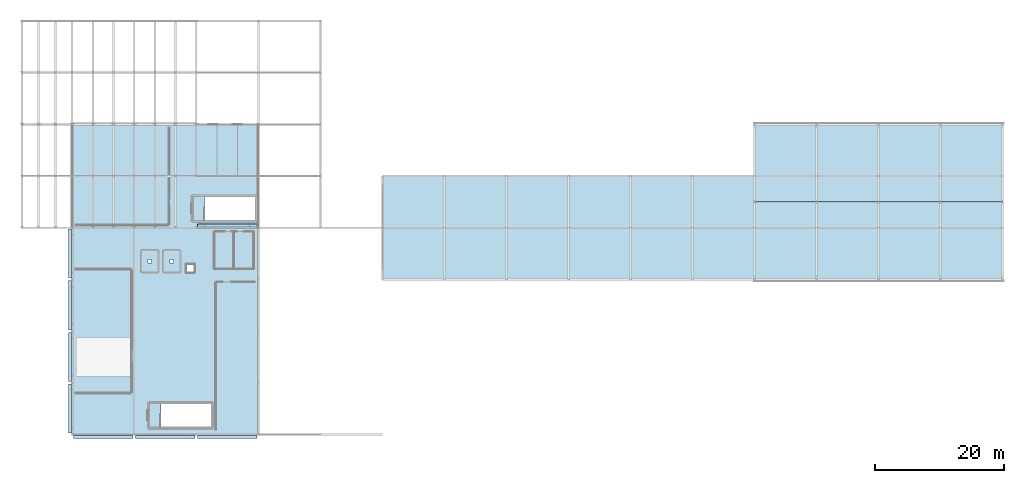
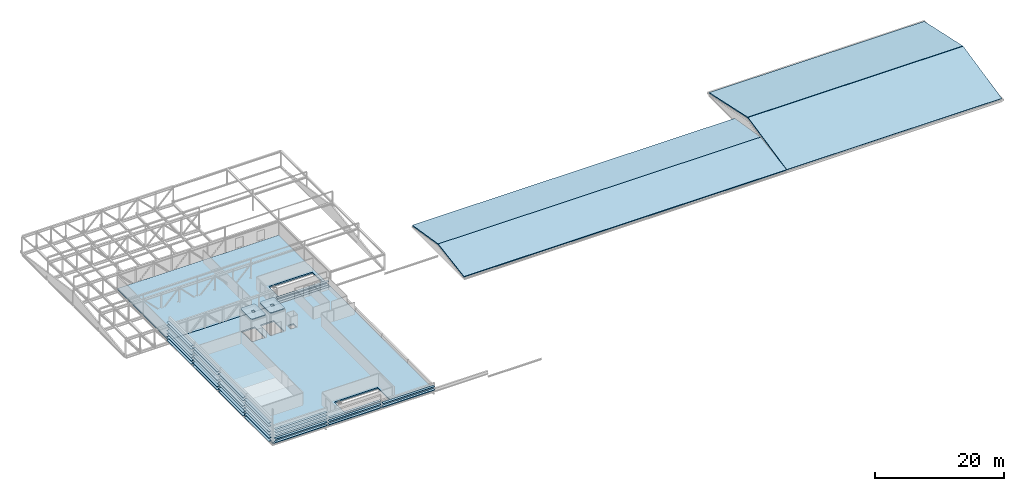
# One storey, part 26 of 34: 36 plates, 8 slabs.
"""IFC4 building model written with IfcOpenShell, lengths in metres."""

from ifc_helpers import new_model, si_unit, direction, frame, origin, origin_2d, place, context, subcontext, project, spatial, polyline, rectangle, outline, extrude, material, layer, layer_set, type_object, element, save


model = new_model("IFC4")

# Units and contexts
model_context = context("Model", 3, precision=1e-05, world=origin(), true_north=direction((0.0, 1.0)))
body_context = subcontext(model_context, "Body", "Model", "MODEL_VIEW")
ifc_project = project(units=[si_unit("LENGTHUNIT", "METRE"), si_unit("AREAUNIT", "SQUARE_METRE"), si_unit("VOLUMEUNIT", "CUBIC_METRE"), si_unit("PLANEANGLEUNIT", "RADIAN"), si_unit("MASSUNIT", "GRAM", prefix="KILO")], contexts=[model_context])

# Site, building, storey
site_placement = place(None, origin())
site = spatial("IfcSite", under=ifc_project, at=site_placement, CompositionType="ELEMENT")
building_placement = place(site_placement, origin())
building = spatial("IfcBuilding", under=site, at=building_placement, Name="Alderhovde Museum", CompositionType="ELEMENT")
storey_placement = place(building_placement, frame((0.0, 0.0, 25.800048828125)))
storey = spatial("IfcBuildingStorey", under=building, at=storey_placement, Name="L05", CompositionType="ELEMENT", Elevation=25.800048828125)

# Plates
ifc_material_1 = material(Name="Bronze-Anodised Aluminium EN AW-6063-T6", Category="aluminium")
ifc_layer_1 = layer(ifc_material_1, 0.06494140625)
ifc_layer_set_1 = layer_set([ifc_layer_1], Name="Bronze-Anodised Aluminium EN AW-6063-T6")
plate_type = type_object("IfcPlateType", Name="LV-BLADE-450", PredefinedType="USERDEFINED", material=ifc_layer_set_1)
for number, where, z_axis, x_axis, name in (
    (1, (14.39990234375, 47.64501953125, 1.517578125), (0.0, 0.0, 1.0), (1.0, 0.0, 0.0), "L05 Wrap-Around Horizontal Louvre 1"),
    (2, (14.39990234375, 47.64501953125, 2.117431640625), (0.0, 0.0, 1.0), (1.0, 0.0, 0.0), "L05 Wrap-Around Horizontal Louvre 2"),
    (3, (14.39990234375, 47.64501953125, 2.717529296875), (0.0, 0.0, 1.0), (1.0, 0.0, 0.0), "L05 Wrap-Around Horizontal Louvre 3"),
    (4, (24.0, 47.64501953125, 1.517578125), (0.0, 0.0, 1.0), (1.0, 0.0, 0.0), "L05 Wrap-Around Horizontal Louvre 4"),
):
    element("IfcPlate", number, at=place(storey_placement, frame(where, z_axis=z_axis, x_axis=x_axis)), inside=storey, type_object=plate_type, Name=name, ObjectType="LOUVRE BLADE", PredefinedType="USERDEFINED", context=body_context, shape_type="SweptSolid", body=[
        extrude(rectangle(XDim=9.199951171875, YDim=0.449951171875, at=origin_2d()), origin(), (0.0, 0.0, 1.0), 0.06494140625),
    ])
for number, where, z_axis, x_axis, name in (
    (5, (9.2451171875, 52.0, 0.267578125), (0.0, 0.0, 1.0), (0.0, 1.0, 0.0), "L05 Wrap-Around Horizontal Louvre 319"),
    (6, (9.2451171875, 52.0, 0.867431640625), (0.0, 0.0, 1.0), (0.0, 1.0, 0.0), "L05 Wrap-Around Horizontal Louvre 320"),
    (7, (9.2451171875, 52.0, 1.467529296875), (0.0, 0.0, 1.0), (0.0, 1.0, 0.0), "L05 Wrap-Around Horizontal Louvre 321"),
    (8, (9.2451171875, 52.0, 2.0673828125), (0.0, 0.0, 1.0), (0.0, 1.0, 0.0), "L05 Wrap-Around Horizontal Louvre 322"),
    (9, (9.2451171875, 60.0, 0.267578125), (0.0, 0.0, 1.0), (0.0, 1.0, 0.0), "L05 Wrap-Around Horizontal Louvre 323"),
    (10, (9.2451171875, 60.0, 0.867431640625), (0.0, 0.0, 1.0), (0.0, 1.0, 0.0), "L05 Wrap-Around Horizontal Louvre 324"),
    (11, (9.2451171875, 60.0, 1.467529296875), (0.0, 0.0, 1.0), (0.0, 1.0, 0.0), "L05 Wrap-Around Horizontal Louvre 325"),
    (12, (9.2451171875, 60.0, 2.0673828125), (0.0, 0.0, 1.0), (0.0, 1.0, 0.0), "L05 Wrap-Around Horizontal Louvre 326"),
    (13, (9.2451171875, 68.0, 0.267578125), (0.0, 0.0, 1.0), (0.0, 1.0, 0.0), "L05 Wrap-Around Horizontal Louvre 327"),
    (14, (9.2451171875, 68.0, 0.867431640625), (0.0, 0.0, 1.0), (0.0, 1.0, 0.0), "L05 Wrap-Around Horizontal Louvre 328"),
    (15, (9.2451171875, 68.0, 1.467529296875), (0.0, 0.0, 1.0), (0.0, 1.0, 0.0), "L05 Wrap-Around Horizontal Louvre 329"),
    (16, (9.2451171875, 68.0, 2.0673828125), (0.0, 0.0, 1.0), (0.0, 1.0, 0.0), "L05 Wrap-Around Horizontal Louvre 330"),
    (17, (9.2451171875, 76.0, 0.267578125), (0.0, 0.0, 1.0), (0.0, 1.0, 0.0), "L05 Wrap-Around Horizontal Louvre 331"),
    (18, (9.2451171875, 76.0, 0.867431640625), (0.0, 0.0, 1.0), (0.0, 1.0, 0.0), "L05 Wrap-Around Horizontal Louvre 332"),
    (19, (9.2451171875, 76.0, 1.467529296875), (0.0, 0.0, 1.0), (0.0, 1.0, 0.0), "L05 Wrap-Around Horizontal Louvre 333"),
    (20, (9.2451171875, 76.0, 2.0673828125), (0.0, 0.0, 1.0), (0.0, 1.0, 0.0), "L05 Wrap-Around Horizontal Louvre 334"),
    (21, (9.2451171875, 52.0, 3.0673828125), (0.0, 0.0, 1.0), (0.0, 1.0, 0.0), "L05 Wrap-Around Horizontal Louvre 335"),
    (22, (9.2451171875, 52.0, 3.66748046875), (0.0, 0.0, 1.0), (0.0, 1.0, 0.0), "L05 Wrap-Around Horizontal Louvre 336"),
    (23, (9.2451171875, 60.0, 3.0673828125), (0.0, 0.0, 1.0), (0.0, 1.0, 0.0), "L05 Wrap-Around Horizontal Louvre 337"),
    (24, (9.2451171875, 60.0, 3.66748046875), (0.0, 0.0, 1.0), (0.0, 1.0, 0.0), "L05 Wrap-Around Horizontal Louvre 338"),
    (25, (9.2451171875, 68.0, 3.0673828125), (0.0, 0.0, 1.0), (0.0, 1.0, 0.0), "L05 Wrap-Around Horizontal Louvre 339"),
    (26, (9.2451171875, 68.0, 3.66748046875), (0.0, 0.0, 1.0), (0.0, 1.0, 0.0), "L05 Wrap-Around Horizontal Louvre 340"),
    (27, (9.2451171875, 76.0, 3.0673828125), (0.0, 0.0, 1.0), (0.0, 1.0, 0.0), "L05 Wrap-Around Horizontal Louvre 341"),
    (28, (9.2451171875, 76.0, 3.66748046875), (0.0, 0.0, 1.0), (0.0, 1.0, 0.0), "L05 Wrap-Around Horizontal Louvre 342"),
):
    element("IfcPlate", number, at=place(storey_placement, frame(where, z_axis=z_axis, x_axis=x_axis)), inside=storey, type_object=plate_type, Name=name, ObjectType="LOUVRE BLADE", PredefinedType="USERDEFINED", context=body_context, shape_type="SweptSolid", body=[
        extrude(rectangle(XDim=7.60009765625, YDim=0.449951171875, at=origin_2d()), origin(), (0.0, 0.0, 1.0), 0.06494140625),
    ])
for number, where, z_axis, x_axis, name in (
    (29, (14.39990234375, 47.64501953125, 0.267578125), (0.0, 0.0, 1.0), (1.0, 0.0, 0.0), "L05 Wrap-Around Horizontal Louvre 343"),
    (30, (14.39990234375, 47.64501953125, 0.867431640625), (0.0, 0.0, 1.0), (1.0, 0.0, 0.0), "L05 Wrap-Around Horizontal Louvre 344"),
    (31, (24.0, 47.64501953125, 0.267578125), (0.0, 0.0, 1.0), (1.0, 0.0, 0.0), "L05 Wrap-Around Horizontal Louvre 345"),
    (32, (24.0, 47.64501953125, 0.867431640625), (0.0, 0.0, 1.0), (1.0, 0.0, 0.0), "L05 Wrap-Around Horizontal Louvre 346"),
    (33, (33.60009765625, 47.64501953125, 0.267578125), (0.0, 0.0, 1.0), (1.0, 0.0, 0.0), "L05 Wrap-Around Horizontal Louvre 347"),
    (34, (33.60009765625, 47.64501953125, 0.867431640625), (0.0, 0.0, 1.0), (1.0, 0.0, 0.0), "L05 Wrap-Around Horizontal Louvre 348"),
    (35, (33.60009765625, 80.35498046875, 0.267578125), (0.0, 0.0, 1.0), (1.0, 0.0, 0.0), "L05 Wrap-Around Horizontal Louvre 349"),
    (36, (33.60009765625, 80.35498046875, 0.867431640625), (0.0, 0.0, 1.0), (1.0, 0.0, 0.0), "L05 Wrap-Around Horizontal Louvre 350"),
):
    element("IfcPlate", number, at=place(storey_placement, frame(where, z_axis=z_axis, x_axis=x_axis)), inside=storey, type_object=plate_type, Name=name, ObjectType="LOUVRE BLADE", PredefinedType="USERDEFINED", context=body_context, shape_type="SweptSolid", body=[
        extrude(rectangle(XDim=9.199951171875, YDim=0.449951171875, at=origin_2d()), origin(), (0.0, 0.0, 1.0), 0.06494140625),
    ])

# Slabs
ifc_material_2 = material(Name="Concrete C35/45", Category="concrete")
ifc_layer_2 = layer(ifc_material_2, 0.159912109375)
ifc_layer_set_2 = layer_set([ifc_layer_2], Name="Concrete C35/45")
slab_type_1 = type_object("IfcSlabType", Name="SLB-CAP-160", PredefinedType="ROOF", material=ifc_layer_set_2)
slab_1_placement = place(storey_placement, frame((0.0, 0.0, 4.179931640625)))
element("IfcSlab", 37, at=slab_1_placement, inside=storey, type_object=slab_type_1, Name="Passenger Lift PL-01 Overrun Shaft Cap", PredefinedType="ROOF", context=body_context, shape_type="SweptSolid", body=[
    extrude(outline(polyline([(20.47998046875, 73.06005859375), (22.719970703125, 73.06005859375), (22.93994140625, 73.280029296875), (22.93994140625, 76.320068359375), (22.719970703125, 76.5400390625), (20.47998046875, 76.5400390625), (20.260009765625, 76.320068359375), (20.260009765625, 73.280029296875), (20.47998046875, 73.06005859375)]), holes=[polyline([(21.35009765625, 74.550048828125), (21.85009765625, 74.550048828125), (21.85009765625, 75.050048828125), (21.35009765625, 75.050048828125), (21.35009765625, 74.550048828125)])]), origin(), (0.0, 0.0, 1.0), 0.159912109375),
])
slab_2_placement = place(storey_placement, frame((0.0, 0.0, 4.179931640625)))
element("IfcSlab", 38, at=slab_2_placement, inside=storey, type_object=slab_type_1, Name="Passenger Lift PL-02 Overrun Shaft Cap", PredefinedType="ROOF", context=body_context, shape_type="SweptSolid", body=[
    extrude(outline(polyline([(23.8798828125, 73.06005859375), (26.1201171875, 73.06005859375), (26.340087890625, 73.280029296875), (26.340087890625, 76.320068359375), (26.1201171875, 76.5400390625), (23.8798828125, 76.5400390625), (23.659912109375, 76.320068359375), (23.659912109375, 73.280029296875), (23.8798828125, 73.06005859375)]), holes=[polyline([(24.75, 74.550048828125), (25.25, 74.550048828125), (25.25, 75.050048828125), (24.75, 75.050048828125), (24.75, 74.550048828125)])]), origin(), (0.0, 0.0, 1.0), 0.159912109375),
])
ifc_material_3 = material(Name="Concrete C35/45", Category="concrete")
ifc_layer_3 = layer(ifc_material_3, 0.260009765625)
ifc_layer_set_3 = layer_set([ifc_layer_3], Name="Concrete C35/45")
slab_type_2 = type_object("IfcSlabType", Name="SLB-FLR-260", PredefinedType="FLOOR", material=ifc_layer_set_3)
slab_3_placement = place(storey_placement, frame((0.0, 0.0, -0.260009765625)))
element("IfcSlab", 39, at=slab_3_placement, inside=storey, type_object=slab_type_2, Name="L05 VOL1 Structural Slab", PredefinedType="FLOOR", context=body_context, shape_type="SweptSolid", body=[
    extrude(outline(polyline([(9.60009765625, 48.0), (38.39990234375, 48.0), (38.39990234375, 80.0), (9.60009765625, 80.0), (9.60009765625, 48.0)]), holes=[polyline([(23.31005859375, 49.199951171875), (31.1201171875, 49.199951171875), (31.1201171875, 52.760009765625), (23.31005859375, 52.760009765625), (23.31005859375, 49.199951171875)]), polyline([(20.39990234375, 73.199951171875), (22.800048828125, 73.199951171875), (22.800048828125, 76.39990234375), (20.39990234375, 76.39990234375), (20.39990234375, 73.199951171875)]), polyline([(23.800048828125, 73.199951171875), (26.199951171875, 73.199951171875), (26.199951171875, 76.39990234375), (23.800048828125, 76.39990234375), (23.800048828125, 73.199951171875)]), polyline([(27.39990234375, 73.199951171875), (28.39990234375, 73.199951171875), (28.39990234375, 74.199951171875), (27.39990234375, 74.199951171875), (27.39990234375, 73.199951171875)])]), origin(), (0.0, 0.0, 1.0), 0.260009765625),
])
slab_4_placement = place(storey_placement, frame((0.0, 0.0, -0.260009765625)))
element("IfcSlab", 40, at=slab_4_placement, inside=storey, type_object=slab_type_2, Name="L05 VOL4 Structural Slab", PredefinedType="FLOOR", context=body_context, shape_type="SweptSolid", body=[
    extrude(outline(polyline([(9.60009765625, 80.0), (38.39990234375, 80.0), (38.39990234375, 96.0), (9.60009765625, 96.0), (9.60009765625, 80.0)]), holes=[polyline([(30.110107421875, 81.199951171875), (37.919921875, 81.199951171875), (37.919921875, 84.760009765625), (30.110107421875, 84.760009765625), (30.110107421875, 81.199951171875)])]), origin(), (0.0, 0.0, 1.0), 0.260009765625),
])
ifc_material_4 = material(Name="Concrete C35/45", Category="concrete")
ifc_layer_4 = layer(ifc_material_4, 0.199951171875)
ifc_layer_set_4 = layer_set([ifc_layer_4], Name="Concrete C35/45")
slab_type_3 = type_object("IfcSlabType", Name="SLB-ROOF-200", PredefinedType="ROOF", material=ifc_layer_set_4)
for number, where, z_axis, x_axis, name in (
    (41, (57.60009765625, 72.0, 0.0), (0.0, -0.160401938868, 0.987051780814), (1.0, 0.0, 0.0), "Conservatory Skybridge South Pitched Roof"),
    (42, (57.60009765625, 80.0, 1.300048828125), (0.0, 0.160401938868, 0.987051780814), (1.0, 0.0, 0.0), "Conservatory Skybridge North Pitched Roof"),
):
    element("IfcSlab", number, at=place(storey_placement, frame(where, z_axis=z_axis, x_axis=x_axis)), inside=storey, type_object=slab_type_3, Name=name, PredefinedType="ROOF", context=body_context, shape_type="SweptSolid", body=[
        extrude(outline(polyline([(0.0, 0.0), (57.599853515625, 0.0), (57.599853515625, 8.104944599163476), (0.0, 8.104944599163476), (0.0, 0.0)])), origin(), (0.0, 0.0, -1.0), 0.199951171875),
    ])
for number, where, z_axis, x_axis, name in (
    (43, (115.199951171875, 72.0, 0.0), (0.0, -0.212418878533, 0.977178704252), (1.0, 0.0, 0.0), "Conservation Pavilion South Pitched Beaux-Arts Roof"),
    (44, (115.199951171875, 84.0400390625, 2.599853515625), (0.0, 0.212418878533, 0.977178704252), (1.0, 0.0, 0.0), "Conservation Pavilion North Pitched Beaux-Arts Roof"),
):
    element("IfcSlab", number, at=place(storey_placement, frame(where, z_axis=z_axis, x_axis=x_axis)), inside=storey, type_object=slab_type_3, Name=name, PredefinedType="ROOF", context=body_context, shape_type="SweptSolid", body=[
        extrude(outline(polyline([(0.0, 0.0), (38.400146484375, 0.0), (38.400146484375, 12.239277099944815), (0.0, 12.239277099944815), (0.0, 0.0)])), origin(), (0.0, 0.0, -1.0), 0.199951171875),
    ])

save(model, "model.ifc")
